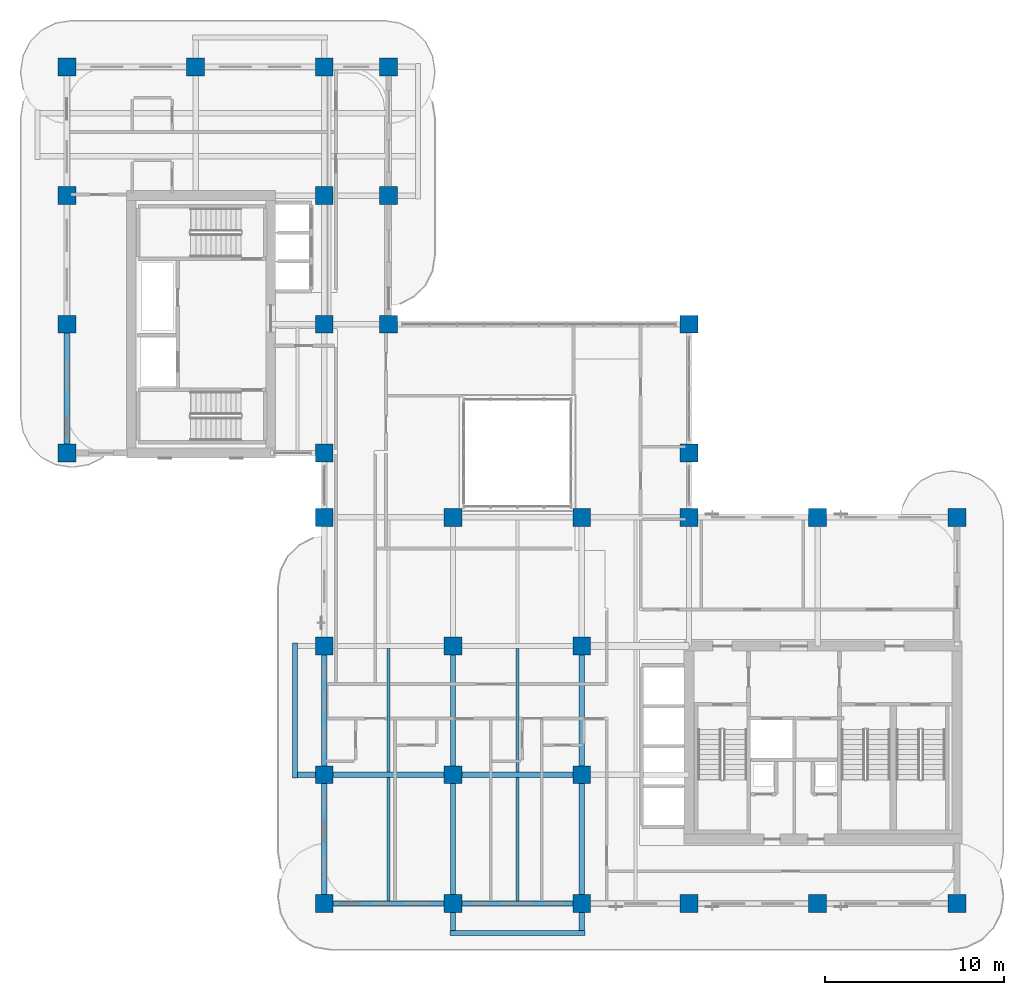
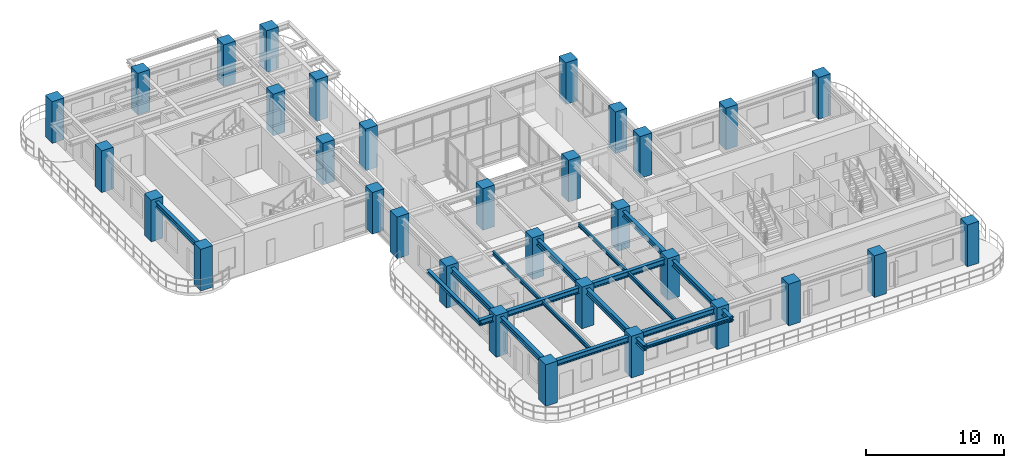
# One storey, part 1 of 20: 32 columns, 17 beams.
"""IFC4 building model written with IfcOpenShell, lengths in metres."""

from ifc_helpers import new_model, si_unit, derived_unit, direction, frame, origin, origin_2d, place, context, subcontext, project, spatial, rectangle, i_section, extrude, source, transform, mapped, material, material_profile, profile_set, type_object, type_shapes, element, save


model = new_model("IFC4")

# Units and contexts
model_context = context("Model", 3, precision=1e-05, world=origin(), true_north=direction((0.0, 1.0)))
body_context = subcontext(model_context, "Body", "Model", "MODEL_VIEW")
ifc_project = project(units=[si_unit("LENGTHUNIT", "METRE"), si_unit("AREAUNIT", "SQUARE_METRE"), si_unit("VOLUMEUNIT", "CUBIC_METRE"), si_unit("PLANEANGLEUNIT", "RADIAN"), si_unit("MASSUNIT", "GRAM", prefix="KILO"), si_unit("THERMODYNAMICTEMPERATUREUNIT", "KELVIN"), si_unit("POWERUNIT", "WATT"), derived_unit("THERMALTRANSMITTANCEUNIT", [(si_unit("POWERUNIT", "WATT"), 1), (si_unit("AREAUNIT", "SQUARE_METRE"), -1), (si_unit("THERMODYNAMICTEMPERATUREUNIT", "KELVIN"), -1)])], contexts=[model_context])

# Site, building, storey
site_placement = place(None, origin())
site = spatial("IfcSite", under=ifc_project, at=site_placement, CompositionType="ELEMENT")
building_placement = place(site_placement, origin())
building = spatial("IfcBuilding", under=site, at=building_placement, Name="Zahravan Archway Hotel and Residences", CompositionType="ELEMENT")
storey_placement = place(building_placement, frame((0.0, 0.0, 122.89990234375)))
storey = spatial("IfcBuildingStorey", under=building, at=storey_placement, Name="L30", CompositionType="ELEMENT", Elevation=122.89990234375)

# Columns
ifc_material_1 = material(Name="Concrete C60/75", Category="concrete")
ifc_material_profile_1 = material_profile(ifc_material_1, rectangle(XDim=1.0, YDim=1.0, at=origin_2d()), Name="RC-COL-1000x1000", Category="concrete")
ifc_profile_set_1 = profile_set([ifc_material_profile_1], Name="Concrete C60/75")
column_type = type_object("IfcColumnType", Name="COL-RC-1000", PredefinedType="COLUMN", material=ifc_profile_set_1)
shared_shape_1 = source(origin(), body_context, "Body", "SweptSolid", [
    extrude(rectangle(XDim=1.0, YDim=1.0, at=origin_2d()), origin(), (0.0, 0.0, 1.0), 3.7001953125),
])
for number, where, z_axis, x_axis, name in (
    (1, (0.0, 25.199951171875, 0.0), (0.0, 0.0, 1.0), (1.0, 0.0, 0.0), "L30 Column 1-E"),
    (2, (0.0, 32.39990234375, 0.0), (0.0, 0.0, 1.0), (1.0, 0.0, 0.0), "L30 Column 1-F"),
    (3, (0.0, 39.60009765625, 0.0), (0.0, 0.0, 1.0), (1.0, 0.0, 0.0), "L30 Column 1-G"),
    (4, (0.0, 46.800048828125, 0.0), (0.0, 0.0, 1.0), (1.0, 0.0, 0.0), "L30 Column 1-H"),
    (5, (7.199951171875, 46.800048828125, 0.0), (0.0, 0.0, 1.0), (1.0, 0.0, 0.0), "L30 Column 2-H"),
    (6, (14.39990234375, 0.0, 0.0), (0.0, 0.0, 1.0), (1.0, 0.0, 0.0), "L30 Column 3-A"),
    (7, (14.39990234375, 7.199951171875, 0.0), (0.0, 0.0, 1.0), (1.0, 0.0, 0.0), "L30 Column 3-B"),
    (8, (14.39990234375, 14.39990234375, 0.0), (0.0, 0.0, 1.0), (1.0, 0.0, 0.0), "L30 Column 3-C"),
    (9, (14.39990234375, 21.60009765625, 0.0), (0.0, 0.0, 1.0), (1.0, 0.0, 0.0), "L30 Column 3-D"),
    (10, (14.39990234375, 25.199951171875, 0.0), (0.0, 0.0, 1.0), (1.0, 0.0, 0.0), "L30 Column 3-E"),
    (11, (14.39990234375, 32.39990234375, 0.0), (0.0, 0.0, 1.0), (1.0, 0.0, 0.0), "L30 Column 3-F"),
    (12, (14.39990234375, 39.60009765625, 0.0), (0.0, 0.0, 1.0), (1.0, 0.0, 0.0), "L30 Column 3-G"),
    (13, (14.39990234375, 46.800048828125, 0.0), (0.0, 0.0, 1.0), (1.0, 0.0, 0.0), "L30 Column 3-H"),
    (14, (21.60009765625, 0.0, 0.0), (0.0, 0.0, 1.0), (1.0, 0.0, 0.0), "L30 Column 4-A"),
    (15, (21.60009765625, 7.199951171875, 0.0), (0.0, 0.0, 1.0), (1.0, 0.0, 0.0), "L30 Column 4-B"),
    (16, (21.60009765625, 14.39990234375, 0.0), (0.0, 0.0, 1.0), (1.0, 0.0, 0.0), "L30 Column 4-C"),
    (17, (21.60009765625, 21.60009765625, 0.0), (0.0, 0.0, 1.0), (1.0, 0.0, 0.0), "L30 Column 4-D"),
    (18, (28.800048828125, 0.0, 0.0), (0.0, 0.0, 1.0), (1.0, 0.0, 0.0), "L30 Column 5-A"),
    (19, (28.800048828125, 7.199951171875, 0.0), (0.0, 0.0, 1.0), (1.0, 0.0, 0.0), "L30 Column 5-B"),
    (20, (28.800048828125, 14.39990234375, 0.0), (0.0, 0.0, 1.0), (1.0, 0.0, 0.0), "L30 Column 5-C"),
    (21, (28.800048828125, 21.60009765625, 0.0), (0.0, 0.0, 1.0), (1.0, 0.0, 0.0), "L30 Column 5-D"),
    (22, (34.800048828125, 0.0, 0.0), (0.0, 0.0, 1.0), (1.0, 0.0, 0.0), "L30 Column 6-A"),
    (23, (34.800048828125, 21.60009765625, 0.0), (0.0, 0.0, 1.0), (1.0, 0.0, 0.0), "L30 Column 6-D"),
    (24, (34.800048828125, 25.199951171875, 0.0), (0.0, 0.0, 1.0), (1.0, 0.0, 0.0), "L30 Column 6-E"),
    (25, (34.800048828125, 32.39990234375, 0.0), (0.0, 0.0, 1.0), (1.0, 0.0, 0.0), "L30 Column 6-F"),
    (26, (42.0, 0.0, 0.0), (0.0, 0.0, 1.0), (1.0, 0.0, 0.0), "L30 Column 7-A"),
    (27, (42.0, 21.60009765625, 0.0), (0.0, 0.0, 1.0), (1.0, 0.0, 0.0), "L30 Column 7-D"),
    (28, (49.800048828125, 0.0, 0.0), (0.0, 0.0, 1.0), (1.0, 0.0, 0.0), "L30 Column 8-A"),
    (29, (49.800048828125, 21.60009765625, 0.0), (0.0, 0.0, 1.0), (1.0, 0.0, 0.0), "L30 Column 8-D"),
    (30, (18.0, 32.39990234375, 0.0), (0.0, 0.0, 1.0), (1.0, 0.0, 0.0), "L30 Column 3B-F"),
    (31, (18.0, 39.60009765625, 0.0), (0.0, 0.0, 1.0), (1.0, 0.0, 0.0), "L30 Column 3B-G"),
    (32, (18.0, 46.800048828125, 0.0), (0.0, 0.0, 1.0), (1.0, 0.0, 0.0), "L30 Column 3B-H"),
):
    element("IfcColumn", number, at=place(storey_placement, frame(where, z_axis=z_axis, x_axis=x_axis)), inside=storey, type_object=column_type, Name=name, PredefinedType="COLUMN", context=body_context, shape_type="MappedRepresentation", body=[
        mapped(shared_shape_1, transform((0.0, 0.0, 0.0), scale=1.0)),
    ])

# Beams
ifc_material_2 = material(Name="Structural Steel S355JR", Category="steel")
ifc_material_profile_2 = material_profile(ifc_material_2, i_section(OverallWidth=0.280029296875, OverallDepth=0.280029296875, WebThickness=0.010498046875, FlangeThickness=0.01806640625, FilletRadius=0.02392578125, at=origin_2d()), Name="HEB 280", Category="steel")
ifc_profile_set_2 = profile_set([ifc_material_profile_2], Name="Structural Steel S355JR")
beam_type_1 = type_object("IfcBeamType", Name="BM-SPN-HEB280", PredefinedType="SPANDREL", material=ifc_profile_set_2)
shared_shape_2 = source(origin(), body_context, "Body", "SweptSolid", [
    extrude(i_section(OverallWidth=0.280029296875, OverallDepth=0.280029296875, WebThickness=0.010498046875, FlangeThickness=0.01806640625, FilletRadius=0.02392578125, at=origin_2d()), origin(), (0.0, 0.0, 1.0), 7.56005859375),
])
type_shapes(beam_type_1, [shared_shape_2])
for number, where, z_axis, x_axis, name in (
    (33, (12.75, 7.02001953125, 3.31005859375), (0.0, 1.0, 0.0), (-1.0, 0.0, 0.0), "L31 WA Balcony Edge Spandrel"),
    (34, (21.419921875, -1.64990234375, 3.31005859375), (1.0, 0.0, 0.0), (0.0, 1.0, 0.0), "L31 SA Balcony Edge Spandrel"),
):
    element("IfcBeam", number, at=place(storey_placement, frame(where, z_axis=z_axis, x_axis=x_axis)), inside=storey, type_object=beam_type_1, Name=name, PredefinedType="SPANDREL", context=body_context, shape_type="MappedRepresentation", body=[
        mapped(shared_shape_2, transform((0.0, 0.0, 0.0), scale=1.0)),
    ])
ifc_material_profile_3 = material_profile(ifc_material_2, i_section(OverallWidth=0.300048828125, OverallDepth=0.5, WebThickness=0.014404296875, FlangeThickness=0.028076171875, FilletRadius=0.027099609375, at=origin_2d()), Name="HEB 500", Category="steel")
ifc_profile_set_3 = profile_set([ifc_material_profile_3], Name="Structural Steel S355JR")
beam_type_2 = type_object("IfcBeamType", Name="BM-PRI-HEB500", PredefinedType="BEAM", material=ifc_profile_set_3)
shared_shape_3 = source(origin(), body_context, "Body", "SweptSolid", [
    extrude(i_section(OverallWidth=0.300048828125, OverallDepth=0.5, WebThickness=0.014404296875, FlangeThickness=0.028076171875, FilletRadius=0.027099609375, at=origin_2d()), origin(), (0.0, 0.0, 1.0), 7.2001953125),
])
type_shapes(beam_type_2, [shared_shape_3])
beam_1_placement = place(storey_placement, frame((14.39990234375, 0.0, 3.2001953125), z_axis=(1.0, 0.0, 0.0), x_axis=(0.0, 1.0, 0.0)))
element("IfcBeam", 35, at=beam_1_placement, inside=storey, type_object=beam_type_2, Name="L30 Primary Girder EW-01", PredefinedType="BEAM", context=body_context, shape_type="MappedRepresentation", body=[
    mapped(shared_shape_3, transform((0.0, 0.0, 0.0), scale=1.0)),
])
shared_shape_4 = source(origin(), body_context, "Body", "SweptSolid", [
    extrude(i_section(OverallWidth=0.300048828125, OverallDepth=0.5, WebThickness=0.014404296875, FlangeThickness=0.028076171875, FilletRadius=0.027099609375, at=origin_2d()), origin(), (0.0, 0.0, 1.0), 7.199951171875),
])
for number, where, z_axis, x_axis, name in (
    (36, (21.60009765625, 0.0, 3.2001953125), (1.0, 0.0, 0.0), (0.0, 1.0, 0.0), "L30 Primary Girder EW-02"),
    (37, (21.60009765625, 7.199951171875, 3.2001953125), (1.0, 0.0, 0.0), (0.0, 1.0, 0.0), "L30 Primary Girder EW-07"),
    (38, (0.0, 25.199951171875, 3.2001953125), (0.0, 1.0, 0.0), (-1.0, 0.0, 0.0), "L30 Primary Girder NS-24"),
    (39, (14.39990234375, 0.0, 3.2001953125), (0.0, 1.0, 0.0), (-1.0, 0.0, 0.0), "L30 Primary Girder NS-28"),
    (40, (14.39990234375, 7.199951171875, 3.2001953125), (0.0, 1.0, 0.0), (-1.0, 0.0, 0.0), "L30 Primary Girder NS-29"),
    (41, (21.60009765625, 7.199951171875, 3.2001953125), (0.0, 1.0, 0.0), (-1.0, 0.0, 0.0), "L30 Primary Girder NS-36"),
    (42, (28.800048828125, 7.199951171875, 3.2001953125), (0.0, 1.0, 0.0), (-1.0, 0.0, 0.0), "L30 Primary Girder NS-39"),
):
    element("IfcBeam", number, at=place(storey_placement, frame(where, z_axis=z_axis, x_axis=x_axis)), inside=storey, type_object=beam_type_2, Name=name, PredefinedType="BEAM", context=body_context, shape_type="MappedRepresentation", body=[
        mapped(shared_shape_4, transform((0.0, 0.0, 0.0), scale=1.0)),
    ])
ifc_material_profile_4 = material_profile(ifc_material_2, i_section(OverallWidth=0.159912109375, OverallDepth=0.330078125, WebThickness=0.007568359375, FlangeThickness=0.011474609375, FilletRadius=0.01806640625, at=origin_2d()), Name="IPE 330", Category="steel")
ifc_profile_set_4 = profile_set([ifc_material_profile_4], Name="Structural Steel S355JR")
beam_type_3 = type_object("IfcBeamType", Name="BM-JST-IPE330", PredefinedType="JOIST", material=ifc_profile_set_4)
shared_shape_5 = source(origin(), body_context, "Body", "SweptSolid", [
    extrude(i_section(OverallWidth=0.159912109375, OverallDepth=0.330078125, WebThickness=0.007568359375, FlangeThickness=0.011474609375, FilletRadius=0.01806640625, at=origin_2d()), origin(), (0.0, 0.0, 1.0), 6.904052734375),
])
type_shapes(beam_type_3, [shared_shape_5])
for number, where, z_axis, x_axis, name in (
    (43, (18.0, 0.14794921875, 3.28515625), (0.0, 1.0, 0.0), (-1.0, 0.0, 0.0), "L30 Composite Floor Joist 01"),
    (44, (25.199951171875, 0.14794921875, 3.28515625), (0.0, 1.0, 0.0), (-1.0, 0.0, 0.0), "L30 Composite Floor Joist 02"),
    (45, (18.0, 7.347900390625, 3.28515625), (0.0, 1.0, 0.0), (-1.0, 0.0, 0.0), "L30 Composite Floor Joist 04"),
    (46, (25.199951171875, 7.347900390625, 3.28515625), (0.0, 1.0, 0.0), (-1.0, 0.0, 0.0), "L30 Composite Floor Joist 05"),
):
    element("IfcBeam", number, at=place(storey_placement, frame(where, z_axis=z_axis, x_axis=x_axis)), inside=storey, type_object=beam_type_3, Name=name, PredefinedType="JOIST", context=body_context, shape_type="MappedRepresentation", body=[
        mapped(shared_shape_5, transform((0.0, 0.0, 0.0), scale=1.0)),
    ])
shared_shape_6 = source(origin(), body_context, "Body", "SweptSolid", [
    extrude(i_section(OverallWidth=0.300048828125, OverallDepth=0.5, WebThickness=0.014404296875, FlangeThickness=0.028076171875, FilletRadius=0.027099609375, at=origin_2d()), origin(), (0.0, 0.0, 1.0), 8.85009765625),
])
beam_2_placement = place(storey_placement, frame((12.75, 7.199951171875, 3.2001953125), z_axis=(1.0, 0.0, 0.0), x_axis=(0.0, 1.0, 0.0)))
element("IfcBeam", 47, at=beam_2_placement, inside=storey, type_object=beam_type_2, Name="L30 Primary Girder EW-06", PredefinedType="BEAM", context=body_context, shape_type="MappedRepresentation", body=[
    mapped(shared_shape_6, transform((0.0, 0.0, 0.0), scale=1.0)),
])
shared_shape_7 = source(origin(), body_context, "Body", "SweptSolid", [
    extrude(i_section(OverallWidth=0.300048828125, OverallDepth=0.5, WebThickness=0.014404296875, FlangeThickness=0.028076171875, FilletRadius=0.027099609375, at=origin_2d()), origin(), (0.0, 0.0, 1.0), 8.849853515625),
])
for number, where, z_axis, x_axis, name in (
    (48, (21.60009765625, -1.64990234375, 3.2001953125), (0.0, 1.0, 0.0), (-1.0, 0.0, 0.0), "L30 Primary Girder NS-35"),
    (49, (28.800048828125, -1.64990234375, 3.2001953125), (0.0, 1.0, 0.0), (-1.0, 0.0, 0.0), "L30 Primary Girder NS-38"),
):
    element("IfcBeam", number, at=place(storey_placement, frame(where, z_axis=z_axis, x_axis=x_axis)), inside=storey, type_object=beam_type_2, Name=name, PredefinedType="BEAM", context=body_context, shape_type="MappedRepresentation", body=[
        mapped(shared_shape_7, transform((0.0, 0.0, 0.0), scale=1.0)),
    ])

save(model, "model.ifc")
